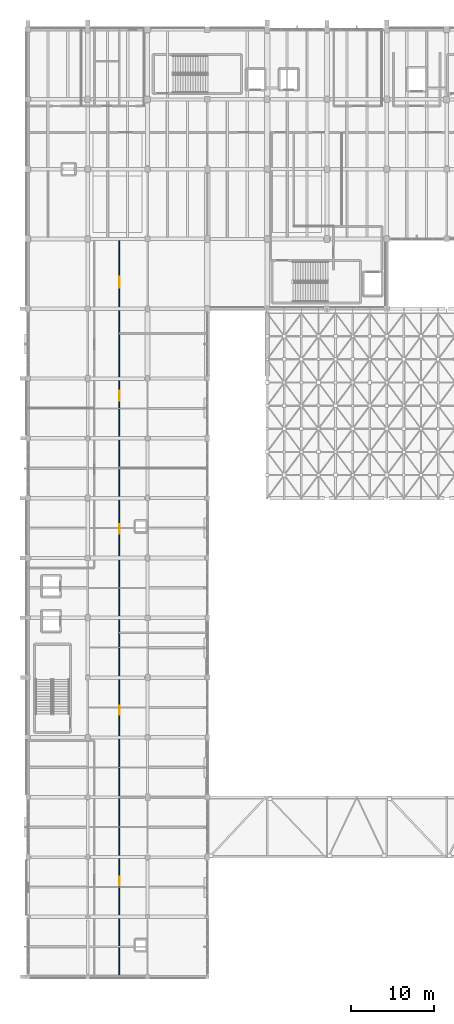
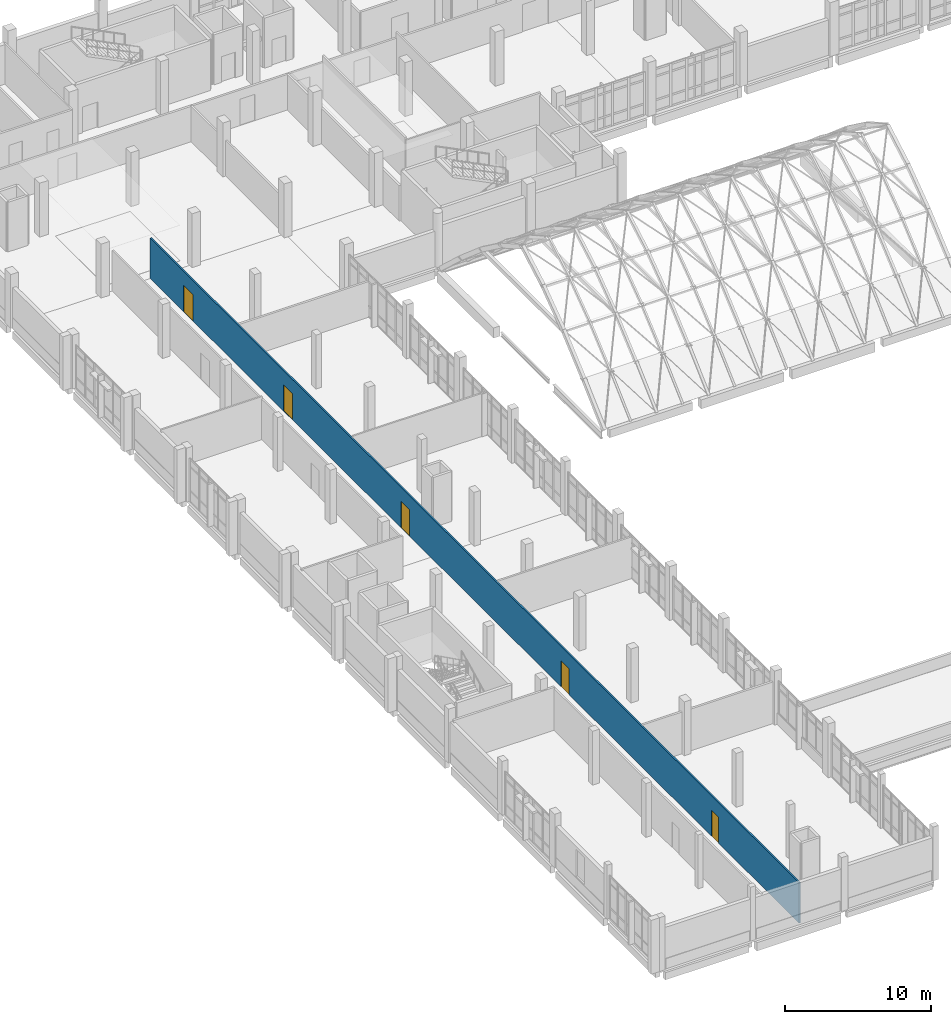
# One storey, part 73 of 87: 5 doors, 1 wall, 5 openings.
"""IFC4 building model written with IfcOpenShell, lengths in metres."""

from ifc_helpers import new_model, si_unit, direction, frame, frame_2d, origin, place, context, subcontext, project, spatial, rectangle, extrude, material, layer, layer_set, type_object, element, fill, save


model = new_model("IFC4")

# Units and contexts
model_context = context("Model", 3, precision=1e-05, world=origin(), true_north=direction((0.0, 1.0)))
body_context = subcontext(model_context, "Body", "Model", "MODEL_VIEW")
ifc_project = project(units=[si_unit("LENGTHUNIT", "METRE"), si_unit("AREAUNIT", "SQUARE_METRE"), si_unit("VOLUMEUNIT", "CUBIC_METRE"), si_unit("PLANEANGLEUNIT", "RADIAN"), si_unit("MASSUNIT", "GRAM", prefix="KILO")], contexts=[model_context])

# Site, building, storey
site_placement = place(None, origin())
site = spatial("IfcSite", under=ifc_project, at=site_placement, CompositionType="ELEMENT")
building_placement = place(site_placement, origin())
building = spatial("IfcBuilding", under=site, at=building_placement, Name="Kalluvel Institute of Natural Sciences", CompositionType="ELEMENT")
storey_placement = place(building_placement, frame((0.0, 0.0, 18.89990234375)))
storey = spatial("IfcBuildingStorey", under=building, at=storey_placement, Name="L04", CompositionType="ELEMENT", Elevation=18.89990234375)

# Wall, openings, doors
ifc_material_1 = material(Name="Acoustic Gypsum Twin-Stud Partition", Category="gypsum")
ifc_layer = layer(ifc_material_1, 0.1201171875)
ifc_layer_set = layer_set([ifc_layer], Name="Acoustic Gypsum Twin-Stud Partition")
wall_type = type_object("IfcWallType", Name="WL-PART-120", PredefinedType="PARTITIONING", material=ifc_layer_set)
wall_placement = place(storey_placement, frame((25.0, 14.0, 0.0), z_axis=(0.0, 0.0, 1.0), x_axis=(0.0, 1.0, 0.0)))
wall = element("IfcWall", 1, at=wall_placement, inside=storey, type_object=wall_type, Name="L04 interior partition wall WL-INT-L04-0230", PredefinedType="PARTITIONING", context=body_context, shape_type="SweptSolid", body=[
    extrude(rectangle(XDim=88.800048828125, YDim=0.1201171875, at=frame_2d((44.39990234375, 0.0))), origin(), (0.0, 0.0, 1.0), 3.380126953125),
])
opening_1_placement = place(wall_placement, frame((11.0, 0.0, 0.0)))
opening_1 = element("IfcOpeningElement", 2, at=opening_1_placement, cuts=wall, Name="Opening D-184", PredefinedType="OPENING", context=body_context, shape_type="SweptSolid", body=[
    extrude(rectangle(XDim=1.0, YDim=2.14990234375, at=frame_2d((0.5, 1.074951171875))), frame((0.0, 0.070068359375, 0.0), z_axis=(0.0, -1.0, 0.0), x_axis=(1.0, 0.0, 0.0)), (0.0, 0.0, 1.0), 0.14013671875),
])
opening_2_placement = place(wall_placement, frame((31.5, 0.0, 0.0)))
opening_2 = element("IfcOpeningElement", 3, at=opening_2_placement, cuts=wall, Name="Opening D-185", PredefinedType="OPENING", context=body_context, shape_type="SweptSolid", body=[
    extrude(rectangle(XDim=1.10009765625, YDim=2.14990234375, at=frame_2d((0.550048828125, 1.074951171875))), frame((0.0, 0.070068359375, 0.0), z_axis=(0.0, -1.0, 0.0), x_axis=(1.0, 0.0, 0.0)), (0.0, 0.0, 1.0), 0.14013671875),
])
opening_3_placement = place(wall_placement, frame((53.300048828125, 0.0, 0.0)))
opening_3 = element("IfcOpeningElement", 4, at=opening_3_placement, cuts=wall, Name="Opening D-186", PredefinedType="OPENING", context=body_context, shape_type="SweptSolid", body=[
    extrude(rectangle(XDim=1.179931640625, YDim=2.199951171875, at=frame_2d((0.58984375, 1.10009765625))), frame((0.0, 0.070068359375, 0.0), z_axis=(0.0, -1.0, 0.0), x_axis=(1.0, 0.0, 0.0)), (0.0, 0.0, 1.0), 0.14013671875),
])
opening_4_placement = place(wall_placement, frame((69.300048828125, 0.0, 0.0)))
opening_4 = element("IfcOpeningElement", 5, at=opening_4_placement, cuts=wall, Name="Opening D-187", PredefinedType="OPENING", context=body_context, shape_type="SweptSolid", body=[
    extrude(rectangle(XDim=1.25, YDim=2.199951171875, at=frame_2d((0.625, 1.10009765625))), frame((0.0, 0.070068359375, 0.0), z_axis=(0.0, -1.0, 0.0), x_axis=(1.0, 0.0, 0.0)), (0.0, 0.0, 1.0), 0.14013671875),
])
opening_5_placement = place(wall_placement, frame((82.89990234375, 0.0, 0.0)))
opening_5 = element("IfcOpeningElement", 6, at=opening_5_placement, cuts=wall, Name="Opening D-188", PredefinedType="OPENING", context=body_context, shape_type="SweptSolid", body=[
    extrude(rectangle(XDim=1.35009765625, YDim=2.199951171875, at=frame_2d((0.675048828125, 1.10009765625))), frame((0.0, 0.070068359375, 0.0), z_axis=(0.0, -1.0, 0.0), x_axis=(1.0, 0.0, 0.0)), (0.0, 0.0, 1.0), 0.14013671875),
])
ifc_material_2 = material(Name="Engineered Hardwood Acoustic Leaf", Category="wood")
door_type_1 = type_object("IfcDoorType", Name="DR-INT-1000", OperationType="NOTDEFINED", PredefinedType="DOOR", material=ifc_material_2)
door_1_placement = place(opening_1_placement, origin())
door_1 = element("IfcDoor", 7, at=door_1_placement, inside=storey, type_object=door_type_1, Name="Remote Sensing and Satellite GIS Laboratory door D-184", OperationType="SINGLE_SWING_LEFT", OverallHeight=2.14990234375, OverallWidth=1.0, PredefinedType="DOOR", context=body_context, shape_type="SweptSolid", body=[
    extrude(rectangle(XDim=1.0, YDim=2.14990234375, at=frame_2d((0.5, 1.074951171875))), frame((0.0, 0.02490234375, 0.0), z_axis=(0.0, -1.0, 0.0), x_axis=(1.0, 0.0, 0.0)), (0.0, 0.0, 1.0), 0.050048828125),
])
fill(opening_1, door_1)
door_type_2 = type_object("IfcDoorType", Name="DR-INT-1100", OperationType="NOTDEFINED", PredefinedType="DOOR", material=ifc_material_2)
door_2_placement = place(opening_2_placement, origin())
door_2 = element("IfcDoor", 8, at=door_2_placement, inside=storey, type_object=door_type_2, Name="Monsoon Coupled-Ocean Modelling Studio door D-185", OperationType="SINGLE_SWING_RIGHT", OverallHeight=2.14990234375, OverallWidth=1.10009765625, PredefinedType="DOOR", context=body_context, shape_type="SweptSolid", body=[
    extrude(rectangle(XDim=1.10009765625, YDim=2.14990234375, at=frame_2d((0.550048828125, 1.074951171875))), frame((0.0, 0.02490234375, 0.0), z_axis=(0.0, -1.0, 0.0), x_axis=(1.0, 0.0, 0.0)), (0.0, 0.0, 1.0), 0.050048828125),
])
fill(opening_2, door_2)
door_type_3 = type_object("IfcDoorType", Name="DR-INT-1180", OperationType="NOTDEFINED", PredefinedType="DOOR", material=ifc_material_2)
door_3_placement = place(opening_3_placement, origin())
door_3 = element("IfcDoor", 9, at=door_3_placement, inside=storey, type_object=door_type_3, Name="Seismotectonics and Geodesy Write-Up Suite door D-186", OperationType="SINGLE_SWING_LEFT", OverallHeight=2.199951171875, OverallWidth=1.179931640625, PredefinedType="DOOR", context=body_context, shape_type="SweptSolid", body=[
    extrude(rectangle(XDim=1.179931640625, YDim=2.199951171875, at=frame_2d((0.58984375, 1.10009765625))), frame((0.0, 0.02490234375, 0.0), z_axis=(0.0, -1.0, 0.0), x_axis=(1.0, 0.0, 0.0)), (0.0, 0.0, 1.0), 0.050048828125),
])
fill(opening_3, door_3)
door_type_4 = type_object("IfcDoorType", Name="DR-INT-1250", OperationType="NOTDEFINED", PredefinedType="DOOR", material=ifc_material_2)
door_4_placement = place(opening_4_placement, origin())
door_4 = element("IfcDoor", 10, at=door_4_placement, inside=storey, type_object=door_type_4, Name="Earth Sciences Seminar Room door D-187", OperationType="SINGLE_SWING_RIGHT", OverallHeight=2.199951171875, OverallWidth=1.25, PredefinedType="DOOR", context=body_context, shape_type="SweptSolid", body=[
    extrude(rectangle(XDim=1.25, YDim=2.199951171875, at=frame_2d((0.625, 1.10009765625))), frame((0.0, 0.02490234375, 0.0), z_axis=(0.0, -1.0, 0.0), x_axis=(1.0, 0.0, 0.0)), (0.0, 0.0, 1.0), 0.050048828125),
])
fill(opening_4, door_4)
ifc_material_3 = material(Name="Aluminium AW-6063 T6", Category="aluminium")
door_type_5 = type_object("IfcDoorType", Name="DR-INT-1350", OperationType="NOTDEFINED", PredefinedType="DOOR", material=ifc_material_3)
door_5_placement = place(opening_5_placement, origin())
door_5 = element("IfcDoor", 11, at=door_5_placement, inside=storey, type_object=door_type_5, Name="Cartographic Plotter and Archive Room door D-188", OperationType="SINGLE_SWING_LEFT", OverallHeight=2.199951171875, OverallWidth=1.35009765625, PredefinedType="DOOR", context=body_context, shape_type="SweptSolid", body=[
    extrude(rectangle(XDim=1.35009765625, YDim=2.199951171875, at=frame_2d((0.675048828125, 1.10009765625))), frame((0.0, 0.02490234375, 0.0), z_axis=(0.0, -1.0, 0.0), x_axis=(1.0, 0.0, 0.0)), (0.0, 0.0, 1.0), 0.050048828125),
])
fill(opening_5, door_5)

save(model, "model.ifc")
